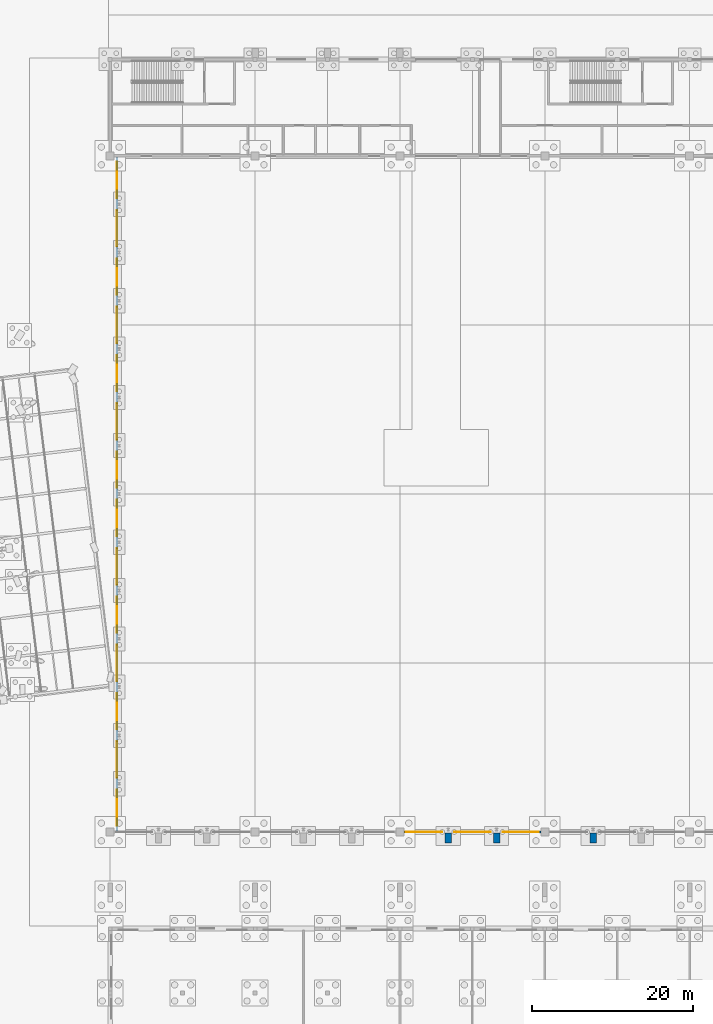
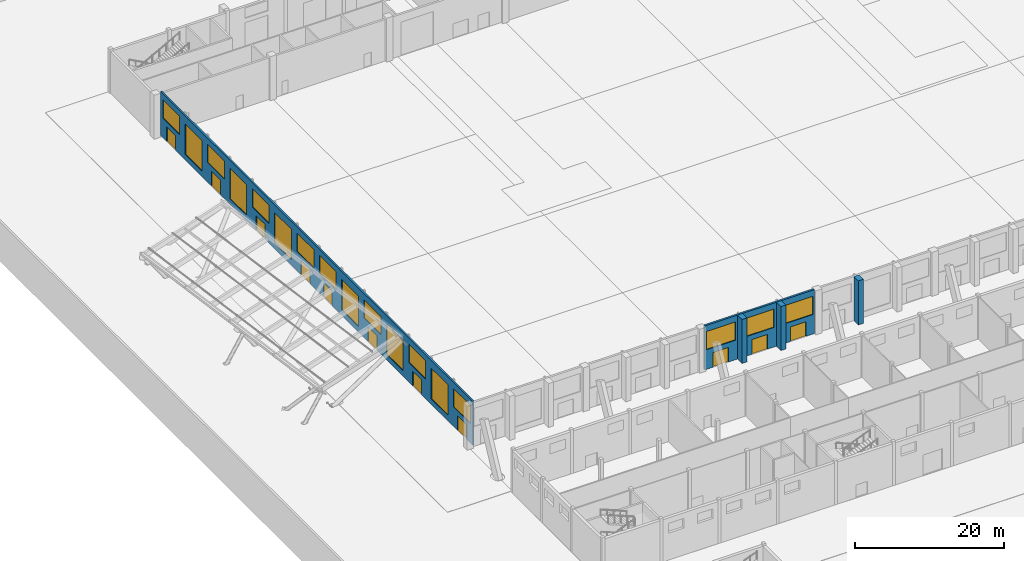
# One storey, part 177 of 239: 17 windows, 11 doors, 5 walls, 28 openings.
"""IFC4 building model written with IfcOpenShell, lengths in metres."""

import ifcopenshell
import ifcopenshell.guid

model = None  # the IFC model being written
_history = None  # IfcOwnerHistory: only IFC2X3 demands one
_inside = {}  # id of a spatial element -> (the spatial element, [elements in it])
_under = {}  # id of a project, library or spatial element -> (it, [spatial elements below it])
_declared = {}  # id of a project -> (the project, [libraries it declares])
_typed = {}  # id of a type object -> (the type object, [elements of that type])
_made_of = {}  # id of a material, layer set ... -> (it, [elements and type objects made of it])


def new_model(schema):
    """Start an empty IFC model of exactly this schema.

    Asked for "IFC4X3", IfcOpenShell would pick the latest addendum, in which some entities
    have other attributes; the version numbers below select the first issue.
    IFC2X3 requires an IfcOwnerHistory on every rooted entity: one is made here for all.
    """
    global model, _history
    if schema == "IFC4X3":
        model = ifcopenshell.file(schema_version=(4, 3, 0, 0))
    else:
        model = ifcopenshell.file(schema=schema)
    _inside.clear()
    _under.clear()
    _declared.clear()
    _typed.clear()
    _made_of.clear()
    _history = None
    if model.schema == "IFC2X3":
        org = make("IfcOrganization", Name="unknown")
        user = make(
            "IfcPersonAndOrganization",
            ThePerson=make("IfcPerson", FamilyName="unknown"),
            TheOrganization=org,
        )
        app = make(
            "IfcApplication",
            ApplicationDeveloper=org,
            Version="unknown",
            ApplicationFullName="unknown",
            ApplicationIdentifier="unknown",
        )
        _history = make(
            "IfcOwnerHistory",
            OwningUser=user,
            OwningApplication=app,
            ChangeAction="ADDED",
            CreationDate=0,
        )
    return model


def make(cls, **values):
    """One entity of the class cls with the attributes given. An attribute that is None is left unset."""
    return model.create_entity(
        cls, **{name: value for name, value in values.items() if value is not None}
    )


def rooted(cls, **values):
    """An entity with a GlobalId (a new one), such as an element, a storey or a relation."""
    return make(cls, GlobalId=ifcopenshell.guid.new(), OwnerHistory=_history, **values)


def si_unit(unit_type, name, prefix=None):
    """IfcSIUnit, for example si_unit("LENGTHUNIT", "METRE", prefix="MILLI")."""
    return make("IfcSIUnit", UnitType=unit_type, Prefix=prefix, Name=name)


def assignment(units):
    """IfcUnitAssignment: the units of a project."""
    return None if units is None else make("IfcUnitAssignment", Units=units)


def point(xyz):
    """IfcCartesianPoint."""
    return None if xyz is None else make("IfcCartesianPoint", Coordinates=xyz)


def direction(xyz):
    """IfcDirection."""
    return None if xyz is None else make("IfcDirection", DirectionRatios=xyz)


def frame(location, z_axis=None, x_axis=None):
    """IfcAxis2Placement3D, a coordinate frame: its origin and axes. An axis left out is left unset."""
    return make(
        "IfcAxis2Placement3D",
        Location=point(location),
        Axis=direction(z_axis),
        RefDirection=direction(x_axis),
    )


def frame_2d(location, x_axis=None):
    """IfcAxis2Placement2D, a coordinate frame in the plane: its origin and x axis."""
    return make(
        "IfcAxis2Placement2D", Location=point(location), RefDirection=direction(x_axis)
    )


def origin():
    """The frame at (0, 0, 0) with its axes left unset."""
    return frame((0.0, 0.0, 0.0))


def place(relative_to, where):
    """IfcLocalPlacement: puts the frame where relative to a parent placement (None: the world)."""
    return make(
        "IfcLocalPlacement", PlacementRelTo=relative_to, RelativePlacement=where
    )


def context(
    kind, dimensions, precision=None, world=None, true_north=None, identifier=None
):
    """IfcGeometricRepresentationContext, for example the 3D "Model" context."""
    return make(
        "IfcGeometricRepresentationContext",
        ContextIdentifier=identifier,
        ContextType=kind,
        CoordinateSpaceDimension=dimensions,
        Precision=precision,
        WorldCoordinateSystem=world,
        TrueNorth=true_north,
    )


def subcontext(parent, identifier, kind, view, scale=None):
    """IfcGeometricRepresentationSubContext, for example "Body" below "Model"."""
    return make(
        "IfcGeometricRepresentationSubContext",
        ContextIdentifier=identifier,
        ContextType=kind,
        ParentContext=parent,
        TargetScale=scale,
        TargetView=view,
    )


def project(units=None, contexts=None):
    """IfcProject with its units and contexts."""
    return rooted(
        "IfcProject",
        Name="project",
        RepresentationContexts=contexts,
        UnitsInContext=assignment(units),
    )


def spatial(cls, under=None, at=None, **own):
    """A site, building, storey or space (cls), placed at a placement, below another one or the project."""
    s = rooted(cls, ObjectPlacement=at, **own)
    if under is not None:
        _under.setdefault(under.id(), (under, []))[1].append(s)
    return s


def profile(cls, at=None, kind="AREA", **sizes):
    """A parametric profile (cls). Its sizes go by their IFC names, for example OverallWidth=200.0."""
    return make(cls, ProfileType=kind, Position=at, **sizes)


def rectangle(**sizes):
    """IfcRectangleProfileDef."""
    return profile("IfcRectangleProfileDef", **sizes)


def extrude(swept, where, along, depth):
    """IfcExtrudedAreaSolid: the profile swept, set in the frame where, extruded along a direction by depth."""
    return make(
        "IfcExtrudedAreaSolid",
        SweptArea=swept,
        Position=where,
        ExtrudedDirection=direction(along),
        Depth=depth,
    )


def shape(context_of_items, identifier, shape_type, items):
    """IfcShapeRepresentation: the items that make up one representation, for example the "Body"."""
    return make(
        "IfcShapeRepresentation",
        ContextOfItems=context_of_items,
        RepresentationIdentifier=identifier,
        RepresentationType=shape_type,
        Items=items,
    )


def material(Name=None, Category=None):
    """IfcMaterial."""
    return make("IfcMaterial", Name=Name, Category=Category)


def layer(
    of_material, thickness, ventilated=None, Name=None, Category=None, Priority=None
):
    """IfcMaterialLayer: one layer of a wall or slab, of a material (None: an air gap)."""
    return make(
        "IfcMaterialLayer",
        Material=of_material,
        LayerThickness=thickness,
        IsVentilated=ventilated,
        Name=Name,
        Category=Category,
        Priority=Priority,
    )


def layer_set(layers, Name=None):
    """IfcMaterialLayerSet."""
    return make("IfcMaterialLayerSet", MaterialLayers=layers, LayerSetName=Name)


def made_of(thing, what):
    """Note that an element or type object is made of a material, layer set ...; save() writes the relation."""
    if what is not None:
        _made_of.setdefault(what.id(), (what, []))[1].append(thing)
    return thing


def type_object(cls, material=None, **own):
    """A type object (cls), such as IfcWallType, which elements share."""
    return made_of(rooted(cls, **own), material)


def element(
    cls,
    number,
    at=None,
    inside=None,
    cuts=None,
    type_object=None,
    material=None,
    context=None,
    identifier="Body",
    shape_type=None,
    held_by="IfcProductDefinitionShape",
    body=None,
    shapes=None,
    **own,
):
    """One element of the class cls, such as IfcWall. Its Tag is "e" and its number.

    at: its placement. inside: the storey or other place that contains it. cuts: it is an
    opening in that element (IfcRelVoidsElement). A single representation is given by context,
    identifier, shape_type and body (its items); several are given by shapes. held_by: the class
    of the entity that holds the representations. save() writes the other relations.
    """
    e = rooted(cls, Tag="e%d" % number, ObjectPlacement=at, **own)
    if body is not None:
        shapes = [shape(context, identifier, shape_type, body)]
    if shapes is not None:
        e.Representation = make(held_by, Representations=shapes)
    if inside is not None:
        _inside.setdefault(inside.id(), (inside, []))[1].append(e)
    if cuts is not None:
        rooted(
            "IfcRelVoidsElement", RelatingBuildingElement=cuts, RelatedOpeningElement=e
        )
    if type_object is not None:
        _typed.setdefault(type_object.id(), (type_object, []))[1].append(e)
    return made_of(e, material)


def fill(opening, filler):
    """IfcRelFillsElement: the door or window that sits in an opening."""
    return rooted(
        "IfcRelFillsElement",
        RelatingOpeningElement=opening,
        RelatedBuildingElement=filler,
    )


def aggregate(whole, parts):
    """IfcRelAggregates: a whole, such as a stair, and the parts it consists of."""
    return rooted("IfcRelAggregates", RelatingObject=whole, RelatedObjects=parts)


def save(model, path):
    """Write the relations noted so far, then the file.

    IfcRelAggregates (storeys below a building ...), IfcRelContainedInSpatialStructure (elements
    in a storey), IfcRelDefinesByType, IfcRelAssociatesMaterial and IfcRelDeclares: one each for
    every whole, place, type object, material and project.
    """
    for whole, parts in _under.values():
        aggregate(whole, parts)
    for where, things in _inside.values():
        rooted(
            "IfcRelContainedInSpatialStructure",
            RelatedElements=things,
            RelatingStructure=where,
        )
    for kind, things in _typed.values():
        rooted("IfcRelDefinesByType", RelatedObjects=things, RelatingType=kind)
    for what, things in _made_of.values():
        rooted("IfcRelAssociatesMaterial", RelatedObjects=things, RelatingMaterial=what)
    for by, libraries in _declared.values():
        rooted("IfcRelDeclares", RelatingContext=by, RelatedDefinitions=libraries)
    model.write(path)


model = new_model("IFC4")

# Units and contexts
model_context = context("Model", 3, precision=1e-05, world=origin(), true_north=direction((0.0, 1.0)))
body_context = subcontext(model_context, "Body", "Model", "MODEL_VIEW")
ifc_project = project(units=[si_unit("LENGTHUNIT", "METRE"), si_unit("AREAUNIT", "SQUARE_METRE"), si_unit("VOLUMEUNIT", "CUBIC_METRE"), si_unit("PLANEANGLEUNIT", "RADIAN"), si_unit("MASSUNIT", "GRAM", prefix="KILO")], contexts=[model_context])

# Site, building, storey
site_placement = place(None, origin())
site = spatial("IfcSite", under=ifc_project, at=site_placement, CompositionType="ELEMENT")
building_placement = place(site_placement, origin())
building = spatial("IfcBuilding", under=site, at=building_placement, Name="Okhra Congress Centre", CompositionType="ELEMENT")
storey_placement = place(building_placement, origin())
storey = spatial("IfcBuildingStorey", under=building, at=storey_placement, Name="L00", CompositionType="ELEMENT", Elevation=0.0)

# Walls
ifc_material_1 = material(Name="Concrete C35/45", Category="concrete")
ifc_layer_1 = layer(ifc_material_1, 0.800048828125)
ifc_layer_set_1 = layer_set([ifc_layer_1], Name="Buttress fin 800 REI 120 C35/45")
wall_type_1 = type_object("IfcWallType", Name="Buttress fin 800 REI 120 C35/45", PredefinedType="SOLIDWALL", material=ifc_layer_set_1)
for number, where, z_axis, x_axis, name in (
    (1, (70.0, 130.64990234375, 0.0), (0.0, 0.0, 1.0), (0.0, 1.0, 0.0), "EH.WALL.L00.12"),
    (2, (76.0, 130.64990234375, 0.0), (0.0, 0.0, 1.0), (0.0, 1.0, 0.0), "EH.WALL.L00.13"),
    (3, (88.0, 130.64990234375, 0.0), (0.0, 0.0, 1.0), (0.0, 1.0, 0.0), "EH.WALL.L00.14"),
):
    element("IfcWall", number, at=place(storey_placement, frame(where, z_axis=z_axis, x_axis=x_axis)), inside=storey, type_object=wall_type_1, Name=name, PredefinedType="SOLIDWALL", context=body_context, shape_type="SweptSolid", body=[
        extrude(rectangle(XDim=1.210205078125, YDim=0.800048828125, at=frame_2d((0.60498046875, 0.0))), origin(), (0.0, 0.0, 1.0), 7.199951171875),
    ])

# Wall, openings, doors, windows
ifc_material_2 = material(Name="Insulated metal sandwich panel (mineral wool core)")
ifc_layer_2 = layer(ifc_material_2, 0.25)
ifc_layer_set_2 = layer_set([ifc_layer_2], Name="Insulated wall panel 250")
wall_type_2 = type_object("IfcWallType", Name="Insulated wall panel 250", PredefinedType="SOLIDWALL", material=ifc_layer_set_2)
wall_1_placement = place(storey_placement, frame((28.85009765625, 132.14990234375, 0.0), z_axis=(0.0, 0.0, 1.0), x_axis=(0.0, 1.0, 0.0)))
wall_1 = element("IfcWall", 4, at=wall_1_placement, inside=storey, type_object=wall_type_2, Name="EH.WALL.L00.29", PredefinedType="SOLIDWALL", context=body_context, shape_type="SweptSolid", body=[
    extrude(rectangle(XDim=83.7001953125, YDim=0.25, at=frame_2d((41.85009765625, 0.0))), origin(), (0.0, 0.0, 1.0), 7.199951171875),
])
opening_1_placement = place(wall_1_placement, frame((1.64990234375, 0.0, 0.0)))
opening_1 = element("IfcOpeningElement", 5, at=opening_1_placement, cuts=wall_1, Name="Opening L00-032", PredefinedType="OPENING", context=body_context, shape_type="SweptSolid", body=[
    extrude(rectangle(XDim=2.39990234375, YDim=2.39990234375, at=frame_2d((1.199951171875, 1.199951171875))), frame((0.0, 0.135009765625, 0.0), z_axis=(0.0, -1.0, 0.0), x_axis=(1.0, 0.0, 0.0)), (0.0, 0.0, 1.0), 0.27001953125),
])
opening_2_placement = place(wall_1_placement, frame((0.60009765625, 0.0, 3.199951171875)))
opening_2 = element("IfcOpeningElement", 6, at=opening_2_placement, cuts=wall_1, Name="Opening WN1", PredefinedType="OPENING", context=body_context, shape_type="SweptSolid", body=[
    extrude(rectangle(XDim=4.5, YDim=3.0, at=frame_2d((2.25, 1.5))), frame((0.0, 0.135009765625, 0.0), z_axis=(0.0, -1.0, 0.0), x_axis=(1.0, 0.0, 0.0)), (0.0, 0.0, 1.0), 0.27001953125),
])
opening_3_placement = place(wall_1_placement, frame((6.60009765625, 0.0, 0.89990234375)))
opening_3 = element("IfcOpeningElement", 7, at=opening_3_placement, cuts=wall_1, Name="Opening WN2", PredefinedType="OPENING", context=body_context, shape_type="SweptSolid", body=[
    extrude(rectangle(XDim=4.5, YDim=5.0, at=frame_2d((2.25, 2.5))), frame((0.0, 0.135009765625, 0.0), z_axis=(0.0, -1.0, 0.0), x_axis=(1.0, 0.0, 0.0)), (0.0, 0.0, 1.0), 0.27001953125),
])
opening_4_placement = place(wall_1_placement, frame((13.64990234375, 0.0, 0.0)))
opening_4 = element("IfcOpeningElement", 8, at=opening_4_placement, cuts=wall_1, Name="Opening L00-033", PredefinedType="OPENING", context=body_context, shape_type="SweptSolid", body=[
    extrude(rectangle(XDim=2.39990234375, YDim=2.39990234375, at=frame_2d((1.199951171875, 1.199951171875))), frame((0.0, 0.135009765625, 0.0), z_axis=(0.0, -1.0, 0.0), x_axis=(1.0, 0.0, 0.0)), (0.0, 0.0, 1.0), 0.27001953125),
])
opening_5_placement = place(wall_1_placement, frame((12.60009765625, 0.0, 3.199951171875)))
opening_5 = element("IfcOpeningElement", 9, at=opening_5_placement, cuts=wall_1, Name="Opening WN1", PredefinedType="OPENING", context=body_context, shape_type="SweptSolid", body=[
    extrude(rectangle(XDim=4.5, YDim=3.0, at=frame_2d((2.25, 1.5))), frame((0.0, 0.135009765625, 0.0), z_axis=(0.0, -1.0, 0.0), x_axis=(1.0, 0.0, 0.0)), (0.0, 0.0, 1.0), 0.27001953125),
])
opening_6_placement = place(wall_1_placement, frame((18.60009765625, 0.0, 0.89990234375)))
opening_6 = element("IfcOpeningElement", 10, at=opening_6_placement, cuts=wall_1, Name="Opening WN2", PredefinedType="OPENING", context=body_context, shape_type="SweptSolid", body=[
    extrude(rectangle(XDim=4.5, YDim=5.0, at=frame_2d((2.25, 2.5))), frame((0.0, 0.135009765625, 0.0), z_axis=(0.0, -1.0, 0.0), x_axis=(1.0, 0.0, 0.0)), (0.0, 0.0, 1.0), 0.27001953125),
])
opening_7_placement = place(wall_1_placement, frame((25.64990234375, 0.0, 0.0)))
opening_7 = element("IfcOpeningElement", 11, at=opening_7_placement, cuts=wall_1, Name="Opening L00-034", PredefinedType="OPENING", context=body_context, shape_type="SweptSolid", body=[
    extrude(rectangle(XDim=2.39990234375, YDim=2.39990234375, at=frame_2d((1.199951171875, 1.199951171875))), frame((0.0, 0.135009765625, 0.0), z_axis=(0.0, -1.0, 0.0), x_axis=(1.0, 0.0, 0.0)), (0.0, 0.0, 1.0), 0.27001953125),
])
opening_8_placement = place(wall_1_placement, frame((24.60009765625, 0.0, 3.199951171875)))
opening_8 = element("IfcOpeningElement", 12, at=opening_8_placement, cuts=wall_1, Name="Opening WN1", PredefinedType="OPENING", context=body_context, shape_type="SweptSolid", body=[
    extrude(rectangle(XDim=4.5, YDim=3.0, at=frame_2d((2.25, 1.5))), frame((0.0, 0.135009765625, 0.0), z_axis=(0.0, -1.0, 0.0), x_axis=(1.0, 0.0, 0.0)), (0.0, 0.0, 1.0), 0.27001953125),
])
opening_9_placement = place(wall_1_placement, frame((30.60009765625, 0.0, 0.89990234375)))
opening_9 = element("IfcOpeningElement", 13, at=opening_9_placement, cuts=wall_1, Name="Opening WN2", PredefinedType="OPENING", context=body_context, shape_type="SweptSolid", body=[
    extrude(rectangle(XDim=4.5, YDim=5.0, at=frame_2d((2.25, 2.5))), frame((0.0, 0.135009765625, 0.0), z_axis=(0.0, -1.0, 0.0), x_axis=(1.0, 0.0, 0.0)), (0.0, 0.0, 1.0), 0.27001953125),
])
opening_10_placement = place(wall_1_placement, frame((37.64990234375, 0.0, 0.0)))
opening_10 = element("IfcOpeningElement", 14, at=opening_10_placement, cuts=wall_1, Name="Opening L00-035", PredefinedType="OPENING", context=body_context, shape_type="SweptSolid", body=[
    extrude(rectangle(XDim=2.39990234375, YDim=2.39990234375, at=frame_2d((1.199951171875, 1.199951171875))), frame((0.0, 0.135009765625, 0.0), z_axis=(0.0, -1.0, 0.0), x_axis=(1.0, 0.0, 0.0)), (0.0, 0.0, 1.0), 0.27001953125),
])
opening_11_placement = place(wall_1_placement, frame((36.60009765625, 0.0, 3.199951171875)))
opening_11 = element("IfcOpeningElement", 15, at=opening_11_placement, cuts=wall_1, Name="Opening WN1", PredefinedType="OPENING", context=body_context, shape_type="SweptSolid", body=[
    extrude(rectangle(XDim=4.5, YDim=3.0, at=frame_2d((2.25, 1.5))), frame((0.0, 0.135009765625, 0.0), z_axis=(0.0, -1.0, 0.0), x_axis=(1.0, 0.0, 0.0)), (0.0, 0.0, 1.0), 0.27001953125),
])
opening_12_placement = place(wall_1_placement, frame((43.64990234375, 0.0, 0.0)))
opening_12 = element("IfcOpeningElement", 16, at=opening_12_placement, cuts=wall_1, Name="Opening L00-036", PredefinedType="OPENING", context=body_context, shape_type="SweptSolid", body=[
    extrude(rectangle(XDim=2.39990234375, YDim=2.39990234375, at=frame_2d((1.199951171875, 1.199951171875))), frame((0.0, 0.135009765625, 0.0), z_axis=(0.0, -1.0, 0.0), x_axis=(1.0, 0.0, 0.0)), (0.0, 0.0, 1.0), 0.27001953125),
])
opening_13_placement = place(wall_1_placement, frame((42.60009765625, 0.0, 3.199951171875)))
opening_13 = element("IfcOpeningElement", 17, at=opening_13_placement, cuts=wall_1, Name="Opening WN1", PredefinedType="OPENING", context=body_context, shape_type="SweptSolid", body=[
    extrude(rectangle(XDim=4.5, YDim=3.0, at=frame_2d((2.25, 1.5))), frame((0.0, 0.135009765625, 0.0), z_axis=(0.0, -1.0, 0.0), x_axis=(1.0, 0.0, 0.0)), (0.0, 0.0, 1.0), 0.27001953125),
])
opening_14_placement = place(wall_1_placement, frame((48.60009765625, 0.0, 0.89990234375)))
opening_14 = element("IfcOpeningElement", 18, at=opening_14_placement, cuts=wall_1, Name="Opening WN2", PredefinedType="OPENING", context=body_context, shape_type="SweptSolid", body=[
    extrude(rectangle(XDim=4.5, YDim=5.0, at=frame_2d((2.25, 2.5))), frame((0.0, 0.135009765625, 0.0), z_axis=(0.0, -1.0, 0.0), x_axis=(1.0, 0.0, 0.0)), (0.0, 0.0, 1.0), 0.27001953125),
])
opening_15_placement = place(wall_1_placement, frame((55.64990234375, 0.0, 0.0)))
opening_15 = element("IfcOpeningElement", 19, at=opening_15_placement, cuts=wall_1, Name="Opening L00-037", PredefinedType="OPENING", context=body_context, shape_type="SweptSolid", body=[
    extrude(rectangle(XDim=2.39990234375, YDim=2.39990234375, at=frame_2d((1.199951171875, 1.199951171875))), frame((0.0, 0.135009765625, 0.0), z_axis=(0.0, -1.0, 0.0), x_axis=(1.0, 0.0, 0.0)), (0.0, 0.0, 1.0), 0.27001953125),
])
opening_16_placement = place(wall_1_placement, frame((54.60009765625, 0.0, 3.199951171875)))
opening_16 = element("IfcOpeningElement", 20, at=opening_16_placement, cuts=wall_1, Name="Opening WN1", PredefinedType="OPENING", context=body_context, shape_type="SweptSolid", body=[
    extrude(rectangle(XDim=4.5, YDim=3.0, at=frame_2d((2.25, 1.5))), frame((0.0, 0.135009765625, 0.0), z_axis=(0.0, -1.0, 0.0), x_axis=(1.0, 0.0, 0.0)), (0.0, 0.0, 1.0), 0.27001953125),
])
opening_17_placement = place(wall_1_placement, frame((60.60009765625, 0.0, 0.89990234375)))
opening_17 = element("IfcOpeningElement", 21, at=opening_17_placement, cuts=wall_1, Name="Opening WN2", PredefinedType="OPENING", context=body_context, shape_type="SweptSolid", body=[
    extrude(rectangle(XDim=4.5, YDim=5.0, at=frame_2d((2.25, 2.5))), frame((0.0, 0.135009765625, 0.0), z_axis=(0.0, -1.0, 0.0), x_axis=(1.0, 0.0, 0.0)), (0.0, 0.0, 1.0), 0.27001953125),
])
opening_18_placement = place(wall_1_placement, frame((67.64990234375, 0.0, 0.0)))
opening_18 = element("IfcOpeningElement", 22, at=opening_18_placement, cuts=wall_1, Name="Opening L00-038", PredefinedType="OPENING", context=body_context, shape_type="SweptSolid", body=[
    extrude(rectangle(XDim=2.39990234375, YDim=2.39990234375, at=frame_2d((1.199951171875, 1.199951171875))), frame((0.0, 0.135009765625, 0.0), z_axis=(0.0, -1.0, 0.0), x_axis=(1.0, 0.0, 0.0)), (0.0, 0.0, 1.0), 0.27001953125),
])
opening_19_placement = place(wall_1_placement, frame((66.60009765625, 0.0, 3.199951171875)))
opening_19 = element("IfcOpeningElement", 23, at=opening_19_placement, cuts=wall_1, Name="Opening WN1", PredefinedType="OPENING", context=body_context, shape_type="SweptSolid", body=[
    extrude(rectangle(XDim=4.5, YDim=3.0, at=frame_2d((2.25, 1.5))), frame((0.0, 0.135009765625, 0.0), z_axis=(0.0, -1.0, 0.0), x_axis=(1.0, 0.0, 0.0)), (0.0, 0.0, 1.0), 0.27001953125),
])
opening_20_placement = place(wall_1_placement, frame((72.60009765625, 0.0, 0.89990234375)))
opening_20 = element("IfcOpeningElement", 24, at=opening_20_placement, cuts=wall_1, Name="Opening WN2", PredefinedType="OPENING", context=body_context, shape_type="SweptSolid", body=[
    extrude(rectangle(XDim=4.5, YDim=5.0, at=frame_2d((2.25, 2.5))), frame((0.0, 0.135009765625, 0.0), z_axis=(0.0, -1.0, 0.0), x_axis=(1.0, 0.0, 0.0)), (0.0, 0.0, 1.0), 0.27001953125),
])
opening_21_placement = place(wall_1_placement, frame((79.64990234375, 0.0, 0.0)))
opening_21 = element("IfcOpeningElement", 25, at=opening_21_placement, cuts=wall_1, Name="Opening L00-039", PredefinedType="OPENING", context=body_context, shape_type="SweptSolid", body=[
    extrude(rectangle(XDim=2.39990234375, YDim=2.39990234375, at=frame_2d((1.199951171875, 1.199951171875))), frame((0.0, 0.135009765625, 0.0), z_axis=(0.0, -1.0, 0.0), x_axis=(1.0, 0.0, 0.0)), (0.0, 0.0, 1.0), 0.27001953125),
])
opening_22_placement = place(wall_1_placement, frame((78.60009765625, 0.0, 3.199951171875)))
opening_22 = element("IfcOpeningElement", 26, at=opening_22_placement, cuts=wall_1, Name="Opening WN1", PredefinedType="OPENING", context=body_context, shape_type="SweptSolid", body=[
    extrude(rectangle(XDim=4.5, YDim=3.0, at=frame_2d((2.25, 1.5))), frame((0.0, 0.135009765625, 0.0), z_axis=(0.0, -1.0, 0.0), x_axis=(1.0, 0.0, 0.0)), (0.0, 0.0, 1.0), 0.27001953125),
])
ifc_material_3 = material(Name="Timber door leaves in steel frame", Category="steel")
door_type = type_object("IfcDoorType", Name="Double swing door 2400x2400", OperationType="NOTDEFINED", PredefinedType="DOOR", material=ifc_material_3)
door_1_placement = place(opening_1_placement, origin())
door_1 = element("IfcDoor", 27, at=door_1_placement, inside=storey, type_object=door_type, Name="Door L00-032", OperationType="DOUBLE_DOOR_SINGLE_SWING", OverallHeight=2.39990234375, OverallWidth=2.39990234375, PredefinedType="DOOR", context=body_context, shape_type="SweptSolid", body=[
    extrude(rectangle(XDim=2.39990234375, YDim=2.39990234375, at=frame_2d((1.199951171875, 1.199951171875))), frame((0.0, 0.02490234375, 0.0), z_axis=(0.0, -1.0, 0.0), x_axis=(1.0, 0.0, 0.0)), (0.0, 0.0, 1.0), 0.050048828125),
])
fill(opening_1, door_1)
door_2_placement = place(opening_4_placement, origin())
door_2 = element("IfcDoor", 28, at=door_2_placement, inside=storey, type_object=door_type, Name="Door L00-033", OperationType="DOUBLE_DOOR_SINGLE_SWING", OverallHeight=2.39990234375, OverallWidth=2.39990234375, PredefinedType="DOOR", context=body_context, shape_type="SweptSolid", body=[
    extrude(rectangle(XDim=2.39990234375, YDim=2.39990234375, at=frame_2d((1.199951171875, 1.199951171875))), frame((0.0, 0.02490234375, 0.0), z_axis=(0.0, -1.0, 0.0), x_axis=(1.0, 0.0, 0.0)), (0.0, 0.0, 1.0), 0.050048828125),
])
fill(opening_4, door_2)
door_3_placement = place(opening_7_placement, origin())
door_3 = element("IfcDoor", 29, at=door_3_placement, inside=storey, type_object=door_type, Name="Door L00-034", OperationType="DOUBLE_DOOR_SINGLE_SWING", OverallHeight=2.39990234375, OverallWidth=2.39990234375, PredefinedType="DOOR", context=body_context, shape_type="SweptSolid", body=[
    extrude(rectangle(XDim=2.39990234375, YDim=2.39990234375, at=frame_2d((1.199951171875, 1.199951171875))), frame((0.0, 0.02490234375, 0.0), z_axis=(0.0, -1.0, 0.0), x_axis=(1.0, 0.0, 0.0)), (0.0, 0.0, 1.0), 0.050048828125),
])
fill(opening_7, door_3)
door_4_placement = place(opening_10_placement, origin())
door_4 = element("IfcDoor", 30, at=door_4_placement, inside=storey, type_object=door_type, Name="Door L00-035", OperationType="DOUBLE_DOOR_SINGLE_SWING", OverallHeight=2.39990234375, OverallWidth=2.39990234375, PredefinedType="DOOR", context=body_context, shape_type="SweptSolid", body=[
    extrude(rectangle(XDim=2.39990234375, YDim=2.39990234375, at=frame_2d((1.199951171875, 1.199951171875))), frame((0.0, 0.02490234375, 0.0), z_axis=(0.0, -1.0, 0.0), x_axis=(1.0, 0.0, 0.0)), (0.0, 0.0, 1.0), 0.050048828125),
])
fill(opening_10, door_4)
door_5_placement = place(opening_12_placement, origin())
door_5 = element("IfcDoor", 31, at=door_5_placement, inside=storey, type_object=door_type, Name="Door L00-036", OperationType="DOUBLE_DOOR_SINGLE_SWING", OverallHeight=2.39990234375, OverallWidth=2.39990234375, PredefinedType="DOOR", context=body_context, shape_type="SweptSolid", body=[
    extrude(rectangle(XDim=2.39990234375, YDim=2.39990234375, at=frame_2d((1.199951171875, 1.199951171875))), frame((0.0, 0.02490234375, 0.0), z_axis=(0.0, -1.0, 0.0), x_axis=(1.0, 0.0, 0.0)), (0.0, 0.0, 1.0), 0.050048828125),
])
fill(opening_12, door_5)
door_6_placement = place(opening_15_placement, origin())
door_6 = element("IfcDoor", 32, at=door_6_placement, inside=storey, type_object=door_type, Name="Door L00-037", OperationType="DOUBLE_DOOR_SINGLE_SWING", OverallHeight=2.39990234375, OverallWidth=2.39990234375, PredefinedType="DOOR", context=body_context, shape_type="SweptSolid", body=[
    extrude(rectangle(XDim=2.39990234375, YDim=2.39990234375, at=frame_2d((1.199951171875, 1.199951171875))), frame((0.0, 0.02490234375, 0.0), z_axis=(0.0, -1.0, 0.0), x_axis=(1.0, 0.0, 0.0)), (0.0, 0.0, 1.0), 0.050048828125),
])
fill(opening_15, door_6)
door_7_placement = place(opening_18_placement, origin())
door_7 = element("IfcDoor", 33, at=door_7_placement, inside=storey, type_object=door_type, Name="Door L00-038", OperationType="DOUBLE_DOOR_SINGLE_SWING", OverallHeight=2.39990234375, OverallWidth=2.39990234375, PredefinedType="DOOR", context=body_context, shape_type="SweptSolid", body=[
    extrude(rectangle(XDim=2.39990234375, YDim=2.39990234375, at=frame_2d((1.199951171875, 1.199951171875))), frame((0.0, 0.02490234375, 0.0), z_axis=(0.0, -1.0, 0.0), x_axis=(1.0, 0.0, 0.0)), (0.0, 0.0, 1.0), 0.050048828125),
])
fill(opening_18, door_7)
door_8_placement = place(opening_21_placement, origin())
door_8 = element("IfcDoor", 34, at=door_8_placement, inside=storey, type_object=door_type, Name="Door L00-039", OperationType="DOUBLE_DOOR_SINGLE_SWING", OverallHeight=2.39990234375, OverallWidth=2.39990234375, PredefinedType="DOOR", context=body_context, shape_type="SweptSolid", body=[
    extrude(rectangle(XDim=2.39990234375, YDim=2.39990234375, at=frame_2d((1.199951171875, 1.199951171875))), frame((0.0, 0.02490234375, 0.0), z_axis=(0.0, -1.0, 0.0), x_axis=(1.0, 0.0, 0.0)), (0.0, 0.0, 1.0), 0.050048828125),
])
fill(opening_21, door_8)
ifc_material_4 = material(Name="Thermally broken aluminium frame, triple glazing", Category="aluminium")
window_type_1 = type_object("IfcWindowType", Name="Fixed window 4500x3000", PartitioningType="SINGLE_PANEL", PredefinedType="WINDOW", material=ifc_material_4)
window_1_placement = place(opening_2_placement, origin())
window_1 = element("IfcWindow", 35, at=window_1_placement, inside=storey, type_object=window_type_1, Name="EH.WIN.L00.22", OverallHeight=3.0, OverallWidth=4.5, PartitioningType="SINGLE_PANEL", PredefinedType="WINDOW", context=body_context, shape_type="SweptSolid", body=[
    extrude(rectangle(XDim=4.5, YDim=3.0, at=frame_2d((2.25, 1.5))), frame((0.0, 0.030029296875, 0.0), z_axis=(0.0, -1.0, 0.0), x_axis=(1.0, 0.0, 0.0)), (0.0, 0.0, 1.0), 0.06005859375),
])
fill(opening_2, window_1)
window_2_placement = place(opening_5_placement, origin())
window_2 = element("IfcWindow", 36, at=window_2_placement, inside=storey, type_object=window_type_1, Name="EH.WIN.L00.24", OverallHeight=3.0, OverallWidth=4.5, PartitioningType="SINGLE_PANEL", PredefinedType="WINDOW", context=body_context, shape_type="SweptSolid", body=[
    extrude(rectangle(XDim=4.5, YDim=3.0, at=frame_2d((2.25, 1.5))), frame((0.0, 0.030029296875, 0.0), z_axis=(0.0, -1.0, 0.0), x_axis=(1.0, 0.0, 0.0)), (0.0, 0.0, 1.0), 0.06005859375),
])
fill(opening_5, window_2)
window_3_placement = place(opening_8_placement, origin())
window_3 = element("IfcWindow", 37, at=window_3_placement, inside=storey, type_object=window_type_1, Name="EH.WIN.L00.26", OverallHeight=3.0, OverallWidth=4.5, PartitioningType="SINGLE_PANEL", PredefinedType="WINDOW", context=body_context, shape_type="SweptSolid", body=[
    extrude(rectangle(XDim=4.5, YDim=3.0, at=frame_2d((2.25, 1.5))), frame((0.0, 0.030029296875, 0.0), z_axis=(0.0, -1.0, 0.0), x_axis=(1.0, 0.0, 0.0)), (0.0, 0.0, 1.0), 0.06005859375),
])
fill(opening_8, window_3)
window_4_placement = place(opening_11_placement, origin())
window_4 = element("IfcWindow", 38, at=window_4_placement, inside=storey, type_object=window_type_1, Name="EH.WIN.L00.28", OverallHeight=3.0, OverallWidth=4.5, PartitioningType="SINGLE_PANEL", PredefinedType="WINDOW", context=body_context, shape_type="SweptSolid", body=[
    extrude(rectangle(XDim=4.5, YDim=3.0, at=frame_2d((2.25, 1.5))), frame((0.0, 0.030029296875, 0.0), z_axis=(0.0, -1.0, 0.0), x_axis=(1.0, 0.0, 0.0)), (0.0, 0.0, 1.0), 0.06005859375),
])
fill(opening_11, window_4)
window_5_placement = place(opening_13_placement, origin())
window_5 = element("IfcWindow", 39, at=window_5_placement, inside=storey, type_object=window_type_1, Name="EH.WIN.L00.29", OverallHeight=3.0, OverallWidth=4.5, PartitioningType="SINGLE_PANEL", PredefinedType="WINDOW", context=body_context, shape_type="SweptSolid", body=[
    extrude(rectangle(XDim=4.5, YDim=3.0, at=frame_2d((2.25, 1.5))), frame((0.0, 0.030029296875, 0.0), z_axis=(0.0, -1.0, 0.0), x_axis=(1.0, 0.0, 0.0)), (0.0, 0.0, 1.0), 0.06005859375),
])
fill(opening_13, window_5)
window_6_placement = place(opening_16_placement, origin())
window_6 = element("IfcWindow", 40, at=window_6_placement, inside=storey, type_object=window_type_1, Name="EH.WIN.L00.31", OverallHeight=3.0, OverallWidth=4.5, PartitioningType="SINGLE_PANEL", PredefinedType="WINDOW", context=body_context, shape_type="SweptSolid", body=[
    extrude(rectangle(XDim=4.5, YDim=3.0, at=frame_2d((2.25, 1.5))), frame((0.0, 0.030029296875, 0.0), z_axis=(0.0, -1.0, 0.0), x_axis=(1.0, 0.0, 0.0)), (0.0, 0.0, 1.0), 0.06005859375),
])
fill(opening_16, window_6)
window_7_placement = place(opening_19_placement, origin())
window_7 = element("IfcWindow", 41, at=window_7_placement, inside=storey, type_object=window_type_1, Name="EH.WIN.L00.33", OverallHeight=3.0, OverallWidth=4.5, PartitioningType="SINGLE_PANEL", PredefinedType="WINDOW", context=body_context, shape_type="SweptSolid", body=[
    extrude(rectangle(XDim=4.5, YDim=3.0, at=frame_2d((2.25, 1.5))), frame((0.0, 0.030029296875, 0.0), z_axis=(0.0, -1.0, 0.0), x_axis=(1.0, 0.0, 0.0)), (0.0, 0.0, 1.0), 0.06005859375),
])
fill(opening_19, window_7)
window_8_placement = place(opening_22_placement, origin())
window_8 = element("IfcWindow", 42, at=window_8_placement, inside=storey, type_object=window_type_1, Name="EH.WIN.L00.35", OverallHeight=3.0, OverallWidth=4.5, PartitioningType="SINGLE_PANEL", PredefinedType="WINDOW", context=body_context, shape_type="SweptSolid", body=[
    extrude(rectangle(XDim=4.5, YDim=3.0, at=frame_2d((2.25, 1.5))), frame((0.0, 0.030029296875, 0.0), z_axis=(0.0, -1.0, 0.0), x_axis=(1.0, 0.0, 0.0)), (0.0, 0.0, 1.0), 0.06005859375),
])
fill(opening_22, window_8)
window_type_2 = type_object("IfcWindowType", Name="Fixed window 4500x5000", PartitioningType="SINGLE_PANEL", PredefinedType="WINDOW", material=ifc_material_4)
window_9_placement = place(opening_3_placement, origin())
window_9 = element("IfcWindow", 43, at=window_9_placement, inside=storey, type_object=window_type_2, Name="EH.WIN.L00.23", OverallHeight=5.0, OverallWidth=4.5, PartitioningType="SINGLE_PANEL", PredefinedType="WINDOW", context=body_context, shape_type="SweptSolid", body=[
    extrude(rectangle(XDim=4.5, YDim=5.0, at=frame_2d((2.25, 2.5))), frame((0.0, 0.030029296875, 0.0), z_axis=(0.0, -1.0, 0.0), x_axis=(1.0, 0.0, 0.0)), (0.0, 0.0, 1.0), 0.06005859375),
])
fill(opening_3, window_9)
window_10_placement = place(opening_6_placement, origin())
window_10 = element("IfcWindow", 44, at=window_10_placement, inside=storey, type_object=window_type_2, Name="EH.WIN.L00.25", OverallHeight=5.0, OverallWidth=4.5, PartitioningType="SINGLE_PANEL", PredefinedType="WINDOW", context=body_context, shape_type="SweptSolid", body=[
    extrude(rectangle(XDim=4.5, YDim=5.0, at=frame_2d((2.25, 2.5))), frame((0.0, 0.030029296875, 0.0), z_axis=(0.0, -1.0, 0.0), x_axis=(1.0, 0.0, 0.0)), (0.0, 0.0, 1.0), 0.06005859375),
])
fill(opening_6, window_10)
window_11_placement = place(opening_9_placement, origin())
window_11 = element("IfcWindow", 45, at=window_11_placement, inside=storey, type_object=window_type_2, Name="EH.WIN.L00.27", OverallHeight=5.0, OverallWidth=4.5, PartitioningType="SINGLE_PANEL", PredefinedType="WINDOW", context=body_context, shape_type="SweptSolid", body=[
    extrude(rectangle(XDim=4.5, YDim=5.0, at=frame_2d((2.25, 2.5))), frame((0.0, 0.030029296875, 0.0), z_axis=(0.0, -1.0, 0.0), x_axis=(1.0, 0.0, 0.0)), (0.0, 0.0, 1.0), 0.06005859375),
])
fill(opening_9, window_11)
window_12_placement = place(opening_14_placement, origin())
window_12 = element("IfcWindow", 46, at=window_12_placement, inside=storey, type_object=window_type_2, Name="EH.WIN.L00.30", OverallHeight=5.0, OverallWidth=4.5, PartitioningType="SINGLE_PANEL", PredefinedType="WINDOW", context=body_context, shape_type="SweptSolid", body=[
    extrude(rectangle(XDim=4.5, YDim=5.0, at=frame_2d((2.25, 2.5))), frame((0.0, 0.030029296875, 0.0), z_axis=(0.0, -1.0, 0.0), x_axis=(1.0, 0.0, 0.0)), (0.0, 0.0, 1.0), 0.06005859375),
])
fill(opening_14, window_12)
window_13_placement = place(opening_17_placement, origin())
window_13 = element("IfcWindow", 47, at=window_13_placement, inside=storey, type_object=window_type_2, Name="EH.WIN.L00.32", OverallHeight=5.0, OverallWidth=4.5, PartitioningType="SINGLE_PANEL", PredefinedType="WINDOW", context=body_context, shape_type="SweptSolid", body=[
    extrude(rectangle(XDim=4.5, YDim=5.0, at=frame_2d((2.25, 2.5))), frame((0.0, 0.030029296875, 0.0), z_axis=(0.0, -1.0, 0.0), x_axis=(1.0, 0.0, 0.0)), (0.0, 0.0, 1.0), 0.06005859375),
])
fill(opening_17, window_13)
window_14_placement = place(opening_20_placement, origin())
window_14 = element("IfcWindow", 48, at=window_14_placement, inside=storey, type_object=window_type_2, Name="EH.WIN.L00.34", OverallHeight=5.0, OverallWidth=4.5, PartitioningType="SINGLE_PANEL", PredefinedType="WINDOW", context=body_context, shape_type="SweptSolid", body=[
    extrude(rectangle(XDim=4.5, YDim=5.0, at=frame_2d((2.25, 2.5))), frame((0.0, 0.030029296875, 0.0), z_axis=(0.0, -1.0, 0.0), x_axis=(1.0, 0.0, 0.0)), (0.0, 0.0, 1.0), 0.06005859375),
])
fill(opening_20, window_14)

ifc_layer_3 = layer(ifc_material_2, 0.300048828125)
ifc_layer_set_3 = layer_set([ifc_layer_3], Name="Insulated wall panel 300")
wall_type_3 = type_object("IfcWallType", Name="Insulated wall panel 300", PredefinedType="SOLIDWALL", material=ifc_layer_set_3)
wall_2_placement = place(storey_placement, frame((64.5, 132.0, 0.0), z_axis=(0.0, 0.0, 1.0), x_axis=(1.0, 0.0, 0.0)))
wall_2 = element("IfcWall", 49, at=wall_2_placement, inside=storey, type_object=wall_type_3, Name="EH.WALL.L00.3", PredefinedType="SOLIDWALL", context=body_context, shape_type="SweptSolid", body=[
    extrude(rectangle(XDim=17.0, YDim=0.300048828125, at=frame_2d((8.5, 0.0))), origin(), (0.0, 0.0, 1.0), 7.199951171875),
])
opening_23_placement = place(wall_2_placement, frame((1.300048828125, 0.0, 0.0)))
opening_23 = element("IfcOpeningElement", 50, at=opening_23_placement, cuts=wall_2, Name="Opening L00-006", PredefinedType="OPENING", context=body_context, shape_type="SweptSolid", body=[
    extrude(rectangle(XDim=2.39990234375, YDim=2.39990234375, at=frame_2d((1.199951171875, 1.199951171875))), frame((0.0, 0.159912109375, 0.0), z_axis=(0.0, -1.0, 0.0), x_axis=(1.0, 0.0, 0.0)), (0.0, 0.0, 1.0), 0.320068359375),
])
opening_24_placement = place(wall_2_placement, frame((0.25, 0.0, 3.199951171875)))
opening_24 = element("IfcOpeningElement", 51, at=opening_24_placement, cuts=wall_2, Name="Opening WN1", PredefinedType="OPENING", context=body_context, shape_type="SweptSolid", body=[
    extrude(rectangle(XDim=4.5, YDim=3.0, at=frame_2d((2.25, 1.5))), frame((0.0, 0.159912109375, 0.0), z_axis=(0.0, -1.0, 0.0), x_axis=(1.0, 0.0, 0.0)), (0.0, 0.0, 1.0), 0.320068359375),
])
opening_25_placement = place(wall_2_placement, frame((7.300048828125, 0.0, 0.0)))
opening_25 = element("IfcOpeningElement", 52, at=opening_25_placement, cuts=wall_2, Name="Opening L00-007", PredefinedType="OPENING", context=body_context, shape_type="SweptSolid", body=[
    extrude(rectangle(XDim=2.39990234375, YDim=2.39990234375, at=frame_2d((1.199951171875, 1.199951171875))), frame((0.0, 0.159912109375, 0.0), z_axis=(0.0, -1.0, 0.0), x_axis=(1.0, 0.0, 0.0)), (0.0, 0.0, 1.0), 0.320068359375),
])
opening_26_placement = place(wall_2_placement, frame((6.25, 0.0, 3.199951171875)))
opening_26 = element("IfcOpeningElement", 53, at=opening_26_placement, cuts=wall_2, Name="Opening WN1", PredefinedType="OPENING", context=body_context, shape_type="SweptSolid", body=[
    extrude(rectangle(XDim=4.5, YDim=3.0, at=frame_2d((2.25, 1.5))), frame((0.0, 0.159912109375, 0.0), z_axis=(0.0, -1.0, 0.0), x_axis=(1.0, 0.0, 0.0)), (0.0, 0.0, 1.0), 0.320068359375),
])
opening_27_placement = place(wall_2_placement, frame((13.300048828125, 0.0, 0.0)))
opening_27 = element("IfcOpeningElement", 54, at=opening_27_placement, cuts=wall_2, Name="Opening L00-008", PredefinedType="OPENING", context=body_context, shape_type="SweptSolid", body=[
    extrude(rectangle(XDim=2.39990234375, YDim=2.39990234375, at=frame_2d((1.199951171875, 1.199951171875))), frame((0.0, 0.159912109375, 0.0), z_axis=(0.0, -1.0, 0.0), x_axis=(1.0, 0.0, 0.0)), (0.0, 0.0, 1.0), 0.320068359375),
])
opening_28_placement = place(wall_2_placement, frame((12.25, 0.0, 3.199951171875)))
opening_28 = element("IfcOpeningElement", 55, at=opening_28_placement, cuts=wall_2, Name="Opening WN1", PredefinedType="OPENING", context=body_context, shape_type="SweptSolid", body=[
    extrude(rectangle(XDim=4.5, YDim=3.0, at=frame_2d((2.25, 1.5))), frame((0.0, 0.159912109375, 0.0), z_axis=(0.0, -1.0, 0.0), x_axis=(1.0, 0.0, 0.0)), (0.0, 0.0, 1.0), 0.320068359375),
])
door_9_placement = place(opening_23_placement, frame((2.39990234375, 0.0, 0.0), z_axis=(0.0, 0.0, 1.0), x_axis=(-1.0, 0.0, 0.0)))
door_9 = element("IfcDoor", 56, at=door_9_placement, inside=storey, type_object=door_type, Name="Door L00-006", OperationType="DOUBLE_DOOR_SINGLE_SWING", OverallHeight=2.39990234375, OverallWidth=2.39990234375, PredefinedType="DOOR", context=body_context, shape_type="SweptSolid", body=[
    extrude(rectangle(XDim=2.39990234375, YDim=2.39990234375, at=frame_2d((1.199951171875, 1.199951171875))), frame((0.0, 0.02490234375, 0.0), z_axis=(0.0, -1.0, 0.0), x_axis=(1.0, 0.0, 0.0)), (0.0, 0.0, 1.0), 0.050048828125),
])
fill(opening_23, door_9)
door_10_placement = place(opening_25_placement, frame((2.39990234375, 0.0, 0.0), z_axis=(0.0, 0.0, 1.0), x_axis=(-1.0, 0.0, 0.0)))
door_10 = element("IfcDoor", 57, at=door_10_placement, inside=storey, type_object=door_type, Name="Door L00-007", OperationType="DOUBLE_DOOR_SINGLE_SWING", OverallHeight=2.39990234375, OverallWidth=2.39990234375, PredefinedType="DOOR", context=body_context, shape_type="SweptSolid", body=[
    extrude(rectangle(XDim=2.39990234375, YDim=2.39990234375, at=frame_2d((1.199951171875, 1.199951171875))), frame((0.0, 0.02490234375, 0.0), z_axis=(0.0, -1.0, 0.0), x_axis=(1.0, 0.0, 0.0)), (0.0, 0.0, 1.0), 0.050048828125),
])
fill(opening_25, door_10)
door_11_placement = place(opening_27_placement, frame((2.39990234375, 0.0, 0.0), z_axis=(0.0, 0.0, 1.0), x_axis=(-1.0, 0.0, 0.0)))
door_11 = element("IfcDoor", 58, at=door_11_placement, inside=storey, type_object=door_type, Name="Door L00-008", OperationType="DOUBLE_DOOR_SINGLE_SWING", OverallHeight=2.39990234375, OverallWidth=2.39990234375, PredefinedType="DOOR", context=body_context, shape_type="SweptSolid", body=[
    extrude(rectangle(XDim=2.39990234375, YDim=2.39990234375, at=frame_2d((1.199951171875, 1.199951171875))), frame((0.0, 0.02490234375, 0.0), z_axis=(0.0, -1.0, 0.0), x_axis=(1.0, 0.0, 0.0)), (0.0, 0.0, 1.0), 0.050048828125),
])
fill(opening_27, door_11)
window_15_placement = place(opening_24_placement, origin())
window_15 = element("IfcWindow", 59, at=window_15_placement, inside=storey, type_object=window_type_1, Name="EH.WIN.L00.7", OverallHeight=3.0, OverallWidth=4.5, PartitioningType="SINGLE_PANEL", PredefinedType="WINDOW", context=body_context, shape_type="SweptSolid", body=[
    extrude(rectangle(XDim=4.5, YDim=3.0, at=frame_2d((2.25, 1.5))), frame((0.0, 0.030029296875, 0.0), z_axis=(0.0, -1.0, 0.0), x_axis=(1.0, 0.0, 0.0)), (0.0, 0.0, 1.0), 0.06005859375),
])
fill(opening_24, window_15)
window_16_placement = place(opening_26_placement, origin())
window_16 = element("IfcWindow", 60, at=window_16_placement, inside=storey, type_object=window_type_1, Name="EH.WIN.L00.8", OverallHeight=3.0, OverallWidth=4.5, PartitioningType="SINGLE_PANEL", PredefinedType="WINDOW", context=body_context, shape_type="SweptSolid", body=[
    extrude(rectangle(XDim=4.5, YDim=3.0, at=frame_2d((2.25, 1.5))), frame((0.0, 0.030029296875, 0.0), z_axis=(0.0, -1.0, 0.0), x_axis=(1.0, 0.0, 0.0)), (0.0, 0.0, 1.0), 0.06005859375),
])
fill(opening_26, window_16)
window_17_placement = place(opening_28_placement, origin())
window_17 = element("IfcWindow", 61, at=window_17_placement, inside=storey, type_object=window_type_1, Name="EH.WIN.L00.9", OverallHeight=3.0, OverallWidth=4.5, PartitioningType="SINGLE_PANEL", PredefinedType="WINDOW", context=body_context, shape_type="SweptSolid", body=[
    extrude(rectangle(XDim=4.5, YDim=3.0, at=frame_2d((2.25, 1.5))), frame((0.0, 0.030029296875, 0.0), z_axis=(0.0, -1.0, 0.0), x_axis=(1.0, 0.0, 0.0)), (0.0, 0.0, 1.0), 0.06005859375),
])
fill(opening_28, window_17)

save(model, "model.ifc")
